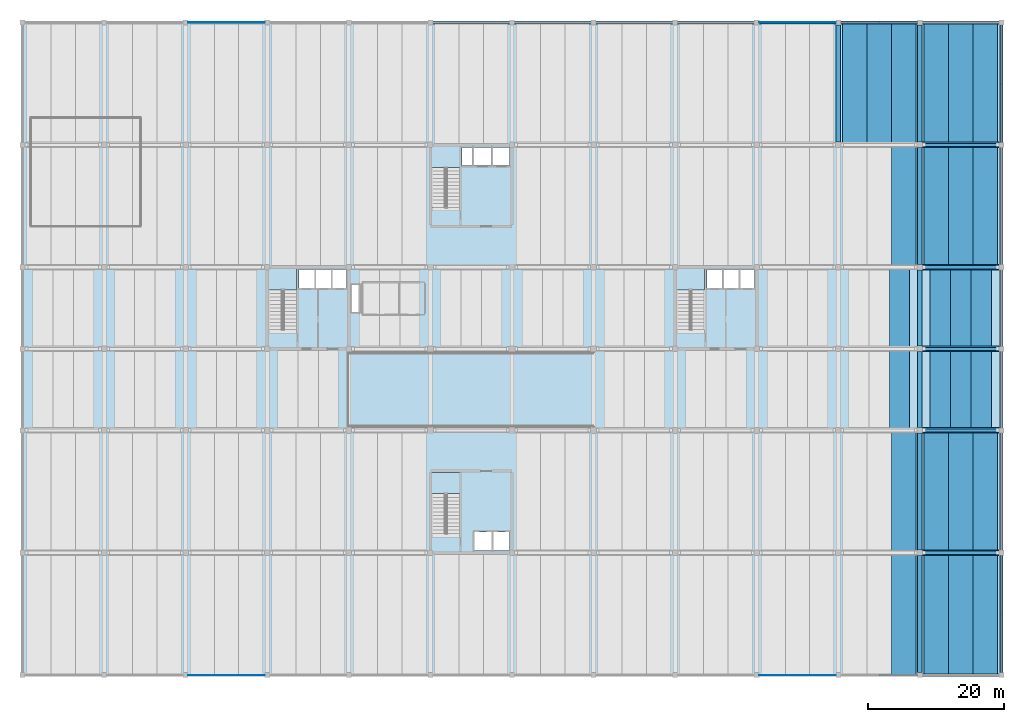
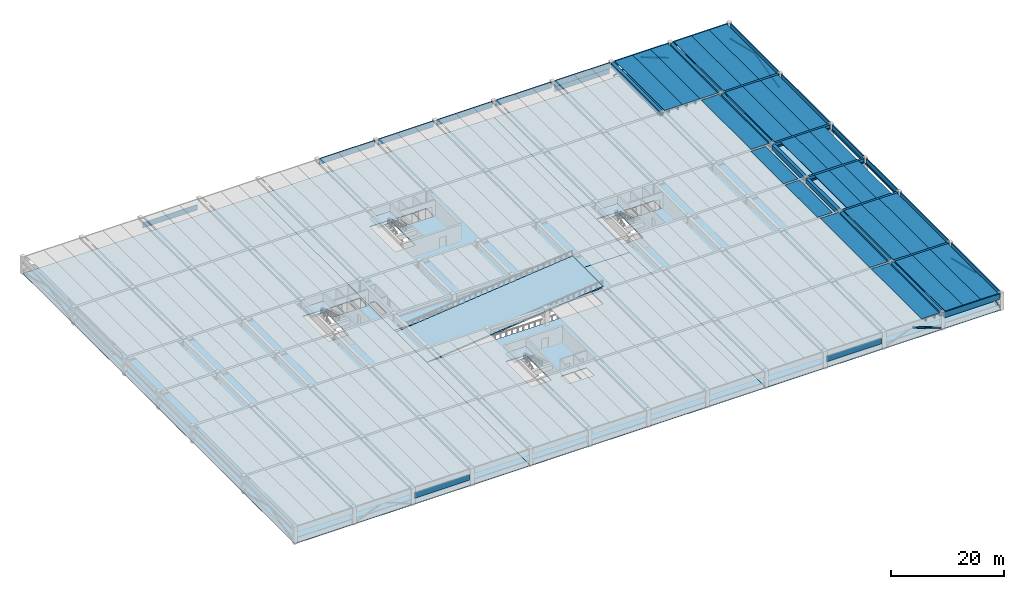
# One storey, part 5 of 14: 52 beams, 9 slabs, 7 members, 4 plates, 4 elements without a shape of their own.
"""IFC4 building model written with IfcOpenShell, lengths in metres."""

from ifc_helpers import new_model, si_unit, direction, frame, origin, origin_2d, place, context, subcontext, project, spatial, polyline, rectangle, hollow_rectangle, outline, extrude, material, layer, layer_set, material_profile, profile_set, type_object, element, aggregate, save


model = new_model("IFC4")

# Units and contexts
model_context = context("Model", 3, precision=1e-05, world=origin(), true_north=direction((0.0, 1.0)))
body_context = subcontext(model_context, "Body", "Model", "MODEL_VIEW")
ifc_project = project(units=[si_unit("LENGTHUNIT", "METRE"), si_unit("AREAUNIT", "SQUARE_METRE"), si_unit("VOLUMEUNIT", "CUBIC_METRE"), si_unit("PLANEANGLEUNIT", "RADIAN"), si_unit("MASSUNIT", "GRAM", prefix="KILO")], contexts=[model_context])

# Site, building, storey
site_placement = place(None, origin())
site = spatial("IfcSite", under=ifc_project, at=site_placement, CompositionType="ELEMENT")
building_placement = place(site_placement, origin())
building = spatial("IfcBuilding", under=site, at=building_placement, Name="Girod Span Mobility Hub", CompositionType="ELEMENT")
storey_placement = place(building_placement, frame((0.0, 0.0, 24.800048828125)))
storey = spatial("IfcBuildingStorey", under=building, at=storey_placement, Name="L06", CompositionType="ELEMENT", Elevation=24.800048828125)

# Beams
ifc_material_1 = material(Name="Concrete C50/60", Category="concrete")
ifc_material_profile_1 = material_profile(ifc_material_1, outline(polyline([(-1.5, 0.300048828125), (-1.5, 0.2099609375), (-0.8349609375, 0.2099609375), (-0.8125, -0.300048828125), (-0.6875, -0.300048828125), (-0.6650390625, 0.2099609375), (0.6650390625, 0.2099609375), (0.6875, -0.300048828125), (0.8125, -0.300048828125), (0.8349609375, 0.2099609375), (1.5, 0.2099609375), (1.5, 0.300048828125), (-1.5, 0.300048828125)])), Name="DT-3000X600")
ifc_profile_set_1 = profile_set([ifc_material_profile_1], Name="Concrete C50/60")
beam_type_1 = type_object("IfcBeamType", Name="BM-DT-3000X600", PredefinedType="JOIST", material=ifc_profile_set_1)
for number, where, z_axis, x_axis, name in (
    (1, (141.0, 45.22705078125, 3.324951171875), (0.0, 1.0, 0.0), (-1.0, 0.0, 0.0), "Double-Tee Deck 12/D-3 L06"),
    (2, (141.0, 57.22705078125, 3.324951171875), (0.0, 1.0, 0.0), (-1.0, 0.0, 0.0), "Double-Tee Deck 12/E-3 L06"),
    (3, (147.0, 45.22705078125, 3.324951171875), (0.0, 1.0, 0.0), (-1.0, 0.0, 0.0), "Double-Tee Deck 13/D-1 L06"),
    (4, (150.0, 45.22705078125, 3.324951171875), (0.0, 1.0, 0.0), (-1.0, 0.0, 0.0), "Double-Tee Deck 13/D-2 L06"),
    (5, (153.0, 45.22705078125, 3.324951171875), (0.0, 1.0, 0.0), (-1.0, 0.0, 0.0), "Double-Tee Deck 13/D-3 L06"),
    (6, (147.0, 57.22705078125, 3.324951171875), (0.0, 1.0, 0.0), (-1.0, 0.0, 0.0), "Double-Tee Deck 13/E-1 L06"),
    (7, (150.0, 57.22705078125, 3.324951171875), (0.0, 1.0, 0.0), (-1.0, 0.0, 0.0), "Double-Tee Deck 13/E-2 L06"),
    (8, (153.0, 57.22705078125, 3.324951171875), (0.0, 1.0, 0.0), (-1.0, 0.0, 0.0), "Double-Tee Deck 13/E-3 L06"),
):
    element("IfcBeam", number, at=place(storey_placement, frame(where, z_axis=z_axis, x_axis=x_axis)), inside=storey, type_object=beam_type_1, Name=name, PredefinedType="JOIST", context=body_context, shape_type="SweptSolid", body=[
        extrude(outline(polyline([(-1.5, 0.300048828125), (-1.5, 0.2099609375), (-0.8349609375, 0.2099609375), (-0.8125, -0.300048828125), (-0.6875, -0.300048828125), (-0.6650390625, 0.2099609375), (0.6650390625, 0.2099609375), (0.6875, -0.300048828125), (0.8125, -0.300048828125), (0.8349609375, 0.2099609375), (1.5, 0.2099609375), (1.5, 0.300048828125), (-1.5, 0.300048828125)])), origin(), (0.0, 0.0, 1.0), 11.5458984375),
    ])
ifc_material_2 = material(Name="Concrete C50/60", Category="concrete")
ifc_material_profile_2 = material_profile(ifc_material_2, outline(polyline([(-1.800048828125, 0.425048828125), (-1.800048828125, 0.324951171875), (-1.0, 0.324951171875), (-0.969970703125, -0.425048828125), (-0.830078125, -0.425048828125), (-0.800048828125, 0.324951171875), (0.800048828125, 0.324951171875), (0.830078125, -0.425048828125), (0.969970703125, -0.425048828125), (1.0, 0.324951171875), (1.800048828125, 0.324951171875), (1.800048828125, 0.425048828125), (-1.800048828125, 0.425048828125)])), Name="DT-3600X850")
ifc_profile_set_2 = profile_set([ifc_material_profile_2], Name="Concrete C50/60")
beam_type_2 = type_object("IfcBeamType", Name="BM-DT-3600X850", PredefinedType="JOIST", material=ifc_profile_set_2)
beam_1_placement = place(storey_placement, frame((141.60009765625, 9.01708984375, 3.199951171875), z_axis=(0.0, 1.0, 0.0), x_axis=(-1.0, 0.0, 0.0)))
element("IfcBeam", 9, at=beam_1_placement, inside=storey, type_object=beam_type_2, Name="Double-Tee Deck 12/B-3 L06", PredefinedType="JOIST", context=body_context, shape_type="SweptSolid", body=[
    extrude(outline(polyline([(-1.800048828125, 0.425048828125), (-1.800048828125, 0.324951171875), (-1.0, 0.324951171875), (-0.969970703125, -0.425048828125), (-0.830078125, -0.425048828125), (-0.800048828125, 0.324951171875), (0.800048828125, 0.324951171875), (0.830078125, -0.425048828125), (0.969970703125, -0.425048828125), (1.0, 0.324951171875), (1.800048828125, 0.324951171875), (1.800048828125, 0.425048828125), (-1.800048828125, 0.425048828125)])), origin(), (0.0, 0.0, 1.0), 17.755859375),
])
for number, where, z_axis, x_axis, name in (
    (10, (141.60009765625, 27.22705078125, 3.199951171875), (0.0, 1.0, 0.0), (-1.0, 0.0, 0.0), "Double-Tee Deck 12/C-3 L06"),
    (11, (141.60009765625, 69.22705078125, 3.199951171875), (0.0, 1.0, 0.0), (-1.0, 0.0, 0.0), "Double-Tee Deck 12/F-3 L06"),
):
    element("IfcBeam", number, at=place(storey_placement, frame(where, z_axis=z_axis, x_axis=x_axis)), inside=storey, type_object=beam_type_2, Name=name, PredefinedType="JOIST", context=body_context, shape_type="SweptSolid", body=[
        extrude(outline(polyline([(-1.800048828125, 0.425048828125), (-1.800048828125, 0.324951171875), (-1.0, 0.324951171875), (-0.969970703125, -0.425048828125), (-0.830078125, -0.425048828125), (-0.800048828125, 0.324951171875), (0.800048828125, 0.324951171875), (0.830078125, -0.425048828125), (0.969970703125, -0.425048828125), (1.0, 0.324951171875), (1.800048828125, 0.324951171875), (1.800048828125, 0.425048828125), (-1.800048828125, 0.425048828125)])), origin(), (0.0, 0.0, 1.0), 17.5458984375),
    ])
for number, where, z_axis, x_axis, name in (
    (12, (134.39990234375, 87.22705078125, 3.199951171875), (0.0, 1.0, 0.0), (-1.0, 0.0, 0.0), "Double-Tee Deck 12/G-1 L06"),
    (13, (138.0, 87.22705078125, 3.199951171875), (0.0, 1.0, 0.0), (-1.0, 0.0, 0.0), "Double-Tee Deck 12/G-2 L06"),
    (14, (141.60009765625, 87.22705078125, 3.199951171875), (0.0, 1.0, 0.0), (-1.0, 0.0, 0.0), "Double-Tee Deck 12/G-3 L06"),
):
    element("IfcBeam", number, at=place(storey_placement, frame(where, z_axis=z_axis, x_axis=x_axis)), inside=storey, type_object=beam_type_2, Name=name, PredefinedType="JOIST", context=body_context, shape_type="SweptSolid", body=[
        extrude(outline(polyline([(-1.800048828125, 0.425048828125), (-1.800048828125, 0.324951171875), (-1.0, 0.324951171875), (-0.969970703125, -0.425048828125), (-0.830078125, -0.425048828125), (-0.800048828125, 0.324951171875), (0.800048828125, 0.324951171875), (0.830078125, -0.425048828125), (0.969970703125, -0.425048828125), (1.0, 0.324951171875), (1.800048828125, 0.324951171875), (1.800048828125, 0.425048828125), (-1.800048828125, 0.425048828125)])), origin(), (0.0, 0.0, 1.0), 17.575927734375),
    ])
for number, where, z_axis, x_axis, name in (
    (15, (146.39990234375, 9.01708984375, 3.199951171875), (0.0, 1.0, 0.0), (-1.0, 0.0, 0.0), "Double-Tee Deck 13/B-1 L06"),
    (16, (150.0, 9.01708984375, 3.199951171875), (0.0, 1.0, 0.0), (-1.0, 0.0, 0.0), "Double-Tee Deck 13/B-2 L06"),
    (17, (153.60009765625, 9.01708984375, 3.199951171875), (0.0, 1.0, 0.0), (-1.0, 0.0, 0.0), "Double-Tee Deck 13/B-3 L06"),
):
    element("IfcBeam", number, at=place(storey_placement, frame(where, z_axis=z_axis, x_axis=x_axis)), inside=storey, type_object=beam_type_2, Name=name, PredefinedType="JOIST", context=body_context, shape_type="SweptSolid", body=[
        extrude(outline(polyline([(-1.800048828125, 0.425048828125), (-1.800048828125, 0.324951171875), (-1.0, 0.324951171875), (-0.969970703125, -0.425048828125), (-0.830078125, -0.425048828125), (-0.800048828125, 0.324951171875), (0.800048828125, 0.324951171875), (0.830078125, -0.425048828125), (0.969970703125, -0.425048828125), (1.0, 0.324951171875), (1.800048828125, 0.324951171875), (1.800048828125, 0.425048828125), (-1.800048828125, 0.425048828125)])), origin(), (0.0, 0.0, 1.0), 17.755859375),
    ])
for number, where, z_axis, x_axis, name in (
    (18, (146.39990234375, 27.22705078125, 3.199951171875), (0.0, 1.0, 0.0), (-1.0, 0.0, 0.0), "Double-Tee Deck 13/C-1 L06"),
    (19, (150.0, 27.22705078125, 3.199951171875), (0.0, 1.0, 0.0), (-1.0, 0.0, 0.0), "Double-Tee Deck 13/C-2 L06"),
    (20, (153.60009765625, 27.22705078125, 3.199951171875), (0.0, 1.0, 0.0), (-1.0, 0.0, 0.0), "Double-Tee Deck 13/C-3 L06"),
    (21, (146.39990234375, 69.22705078125, 3.199951171875), (0.0, 1.0, 0.0), (-1.0, 0.0, 0.0), "Double-Tee Deck 13/F-1 L06"),
    (22, (150.0, 69.22705078125, 3.199951171875), (0.0, 1.0, 0.0), (-1.0, 0.0, 0.0), "Double-Tee Deck 13/F-2 L06"),
    (23, (153.60009765625, 69.22705078125, 3.199951171875), (0.0, 1.0, 0.0), (-1.0, 0.0, 0.0), "Double-Tee Deck 13/F-3 L06"),
):
    element("IfcBeam", number, at=place(storey_placement, frame(where, z_axis=z_axis, x_axis=x_axis)), inside=storey, type_object=beam_type_2, Name=name, PredefinedType="JOIST", context=body_context, shape_type="SweptSolid", body=[
        extrude(outline(polyline([(-1.800048828125, 0.425048828125), (-1.800048828125, 0.324951171875), (-1.0, 0.324951171875), (-0.969970703125, -0.425048828125), (-0.830078125, -0.425048828125), (-0.800048828125, 0.324951171875), (0.800048828125, 0.324951171875), (0.830078125, -0.425048828125), (0.969970703125, -0.425048828125), (1.0, 0.324951171875), (1.800048828125, 0.324951171875), (1.800048828125, 0.425048828125), (-1.800048828125, 0.425048828125)])), origin(), (0.0, 0.0, 1.0), 17.5458984375),
    ])
for number, where, z_axis, x_axis, name in (
    (24, (146.39990234375, 87.22705078125, 3.199951171875), (0.0, 1.0, 0.0), (-1.0, 0.0, 0.0), "Double-Tee Deck 13/G-1 L06"),
    (25, (150.0, 87.22705078125, 3.199951171875), (0.0, 1.0, 0.0), (-1.0, 0.0, 0.0), "Double-Tee Deck 13/G-2 L06"),
    (26, (153.60009765625, 87.22705078125, 3.199951171875), (0.0, 1.0, 0.0), (-1.0, 0.0, 0.0), "Double-Tee Deck 13/G-3 L06"),
):
    element("IfcBeam", number, at=place(storey_placement, frame(where, z_axis=z_axis, x_axis=x_axis)), inside=storey, type_object=beam_type_2, Name=name, PredefinedType="JOIST", context=body_context, shape_type="SweptSolid", body=[
        extrude(outline(polyline([(-1.800048828125, 0.425048828125), (-1.800048828125, 0.324951171875), (-1.0, 0.324951171875), (-0.969970703125, -0.425048828125), (-0.830078125, -0.425048828125), (-0.800048828125, 0.324951171875), (0.800048828125, 0.324951171875), (0.830078125, -0.425048828125), (0.969970703125, -0.425048828125), (1.0, 0.324951171875), (1.800048828125, 0.324951171875), (1.800048828125, 0.425048828125), (-1.800048828125, 0.425048828125)])), origin(), (0.0, 0.0, 1.0), 17.575927734375),
    ])
ifc_material_3 = material(Name="Concrete C50/60", Category="concrete")
ifc_material_profile_3 = material_profile(ifc_material_3, outline(polyline([(-0.39990234375, -0.449951171875), (0.39990234375, -0.449951171875), (0.39990234375, -0.14990234375), (0.22998046875, -0.14990234375), (0.22998046875, 0.449951171875), (-0.22998046875, 0.449951171875), (-0.22998046875, -0.14990234375), (-0.39990234375, -0.14990234375), (-0.39990234375, -0.449951171875)])), Name="IT-800X900")
ifc_profile_set_3 = profile_set([ifc_material_profile_3], Name="Concrete C50/60")
beam_type_3 = type_object("IfcBeamType", Name="BM-IT-800X900", PredefinedType="T_BEAM", material=ifc_profile_set_3)
for number, where, z_axis, x_axis, name in (
    (27, (144.39697265625, 27.0, 3.175048828125), (1.0, 0.0, 0.0), (0.0, 1.0, 0.0), "Girder 13-14/C L06"),
    (28, (144.39697265625, 45.0, 3.175048828125), (1.0, 0.0, 0.0), (0.0, 1.0, 0.0), "Girder 13-14/D L06"),
    (29, (144.39697265625, 57.0, 3.175048828125), (1.0, 0.0, 0.0), (0.0, 1.0, 0.0), "Girder 13-14/E L06"),
    (30, (144.39697265625, 69.0, 3.175048828125), (1.0, 0.0, 0.0), (0.0, 1.0, 0.0), "Girder 13-14/F L06"),
    (31, (144.39697265625, 87.0, 3.175048828125), (1.0, 0.0, 0.0), (0.0, 1.0, 0.0), "Girder 13-14/G L06"),
):
    element("IfcBeam", number, at=place(storey_placement, frame(where, z_axis=z_axis, x_axis=x_axis)), inside=storey, type_object=beam_type_3, Name=name, PredefinedType="T_BEAM", context=body_context, shape_type="SweptSolid", body=[
        extrude(outline(polyline([(-0.39990234375, -0.449951171875), (0.39990234375, -0.449951171875), (0.39990234375, -0.14990234375), (0.22998046875, -0.14990234375), (0.22998046875, 0.449951171875), (-0.22998046875, 0.449951171875), (-0.22998046875, -0.14990234375), (-0.39990234375, -0.14990234375), (-0.39990234375, -0.449951171875)])), origin(), (0.0, 0.0, 1.0), 11.23095703125),
    ])
ifc_material_4 = material(Name="Concrete C40/50", Category="concrete")
ifc_material_profile_4 = material_profile(ifc_material_4, outline(polyline([(-0.199951171875, -0.625), (0.199951171875, -0.625), (0.199951171875, -0.304931640625), (0.02001953125, -0.304931640625), (0.02001953125, 0.625), (-0.199951171875, 0.625), (-0.199951171875, -0.625)])), Name="SP-400X1250")
ifc_profile_set_4 = profile_set([ifc_material_profile_4], Name="Concrete C40/50")
beam_type_4 = type_object("IfcBeamType", Name="BM-SP-400X1250", PredefinedType="SPANDREL", material=ifc_profile_set_4)
for number, where, z_axis, x_axis, name in (
    (32, (144.3720703125, 9.0, 3.0), (1.0, 0.0, 0.0), (0.0, 1.0, 0.0), "Girder 13-14/B L06"),
    (33, (72.3720703125, 105.0, 3.0), (1.0, 0.0, 0.0), (0.0, 1.0, 0.0), "Girder 7-8/H L06"),
    (34, (84.3720703125, 105.0, 3.0), (1.0, 0.0, 0.0), (0.0, 1.0, 0.0), "Girder 8-9/H L06"),
    (35, (96.3720703125, 105.0, 3.0), (1.0, 0.0, 0.0), (0.0, 1.0, 0.0), "Girder 9-10/H L06"),
    (36, (108.3720703125, 105.0, 3.0), (1.0, 0.0, 0.0), (0.0, 1.0, 0.0), "Girder 10-11/H L06"),
    (37, (120.3720703125, 105.0, 3.0), (1.0, 0.0, 0.0), (0.0, 1.0, 0.0), "Girder 11-12/H L06"),
    (38, (132.3720703125, 105.0, 3.0), (1.0, 0.0, 0.0), (0.0, 1.0, 0.0), "Girder 12-13/H L06"),
    (39, (144.3720703125, 105.0, 3.0), (1.0, 0.0, 0.0), (0.0, 1.0, 0.0), "Girder 13-14/H L06"),
):
    element("IfcBeam", number, at=place(storey_placement, frame(where, z_axis=z_axis, x_axis=x_axis)), inside=storey, type_object=beam_type_4, Name=name, PredefinedType="SPANDREL", context=body_context, shape_type="SweptSolid", body=[
        extrude(outline(polyline([(-0.199951171875, -0.625), (0.199951171875, -0.625), (0.199951171875, -0.304931640625), (0.02001953125, -0.304931640625), (0.02001953125, 0.625), (-0.199951171875, 0.625), (-0.199951171875, -0.625)])), origin(), (0.0, 0.0, 1.0), 11.255859375),
    ])
for number, where, z_axis, x_axis, name in (
    (40, (156.0, 9.3720703125, 3.0), (0.0, 1.0, 0.0), (-1.0, 0.0, 0.0), "Tie Girder 14/B-C L06"),
    (41, (156.0, 27.3720703125, 3.0), (0.0, 1.0, 0.0), (-1.0, 0.0, 0.0), "Tie Girder 14/C-D L06"),
):
    element("IfcBeam", number, at=place(storey_placement, frame(where, z_axis=z_axis, x_axis=x_axis)), inside=storey, type_object=beam_type_4, Name=name, PredefinedType="SPANDREL", context=body_context, shape_type="SweptSolid", body=[
        extrude(outline(polyline([(-0.199951171875, -0.625), (0.199951171875, -0.625), (0.199951171875, -0.304931640625), (0.02001953125, -0.304931640625), (0.02001953125, 0.625), (-0.199951171875, 0.625), (-0.199951171875, -0.625)])), origin(), (0.0, 0.0, 1.0), 17.255859375),
    ])
for number, where, z_axis, x_axis, name in (
    (42, (156.0, 45.3720703125, 3.0), (0.0, 1.0, 0.0), (-1.0, 0.0, 0.0), "Tie Girder 14/D-E L06"),
    (43, (156.0, 57.3720703125, 3.0), (0.0, 1.0, 0.0), (-1.0, 0.0, 0.0), "Tie Girder 14/E-F L06"),
):
    element("IfcBeam", number, at=place(storey_placement, frame(where, z_axis=z_axis, x_axis=x_axis)), inside=storey, type_object=beam_type_4, Name=name, PredefinedType="SPANDREL", context=body_context, shape_type="SweptSolid", body=[
        extrude(outline(polyline([(-0.199951171875, -0.625), (0.199951171875, -0.625), (0.199951171875, -0.304931640625), (0.02001953125, -0.304931640625), (0.02001953125, 0.625), (-0.199951171875, 0.625), (-0.199951171875, -0.625)])), origin(), (0.0, 0.0, 1.0), 11.255859375),
    ])
for number, where, z_axis, x_axis, name in (
    (44, (156.0, 69.3720703125, 3.0), (0.0, 1.0, 0.0), (-1.0, 0.0, 0.0), "Tie Girder 14/F-G L06"),
    (45, (156.0, 87.3720703125, 3.0), (0.0, 1.0, 0.0), (-1.0, 0.0, 0.0), "Tie Girder 14/G-H L06"),
):
    element("IfcBeam", number, at=place(storey_placement, frame(where, z_axis=z_axis, x_axis=x_axis)), inside=storey, type_object=beam_type_4, Name=name, PredefinedType="SPANDREL", context=body_context, shape_type="SweptSolid", body=[
        extrude(outline(polyline([(-0.199951171875, -0.625), (0.199951171875, -0.625), (0.199951171875, -0.304931640625), (0.02001953125, -0.304931640625), (0.02001953125, 0.625), (-0.199951171875, 0.625), (-0.199951171875, -0.625)])), origin(), (0.0, 0.0, 1.0), 17.255859375),
    ])
ifc_material_5 = material(Name="Concrete C40/50", Category="concrete")
ifc_material_profile_5 = material_profile(ifc_material_5, rectangle(XDim=0.64990234375, YDim=1.0, at=origin_2d()), Name="TG-650X1000")
ifc_profile_set_5 = profile_set([ifc_material_profile_5], Name="Concrete C40/50")
beam_type_5 = type_object("IfcBeamType", Name="BM-TG-650X1000", PredefinedType="T_BEAM", material=ifc_profile_set_5)
for number, where, z_axis, x_axis, name in (
    (46, (132.0, 87.39697265625, 3.125), (0.0, 1.0, 0.0), (-1.0, 0.0, 0.0), "Tie Girder 12/G-H L06"),
    (47, (144.0, 9.3720703125, 3.125), (0.0, 1.0, 0.0), (-1.0, 0.0, 0.0), "Tie Girder 13/B-C L06"),
):
    element("IfcBeam", number, at=place(storey_placement, frame(where, z_axis=z_axis, x_axis=x_axis)), inside=storey, type_object=beam_type_5, Name=name, PredefinedType="T_BEAM", context=body_context, shape_type="SweptSolid", body=[
        extrude(rectangle(XDim=0.64990234375, YDim=1.0, at=origin_2d()), origin(), (0.0, 0.0, 1.0), 17.23095703125),
    ])
beam_2_placement = place(storey_placement, frame((144.0, 27.39697265625, 3.125), z_axis=(0.0, 1.0, 0.0), x_axis=(-1.0, 0.0, 0.0)))
element("IfcBeam", 48, at=beam_2_placement, inside=storey, type_object=beam_type_5, Name="Tie Girder 13/C-D L06", PredefinedType="T_BEAM", context=body_context, shape_type="SweptSolid", body=[
    extrude(rectangle(XDim=0.64990234375, YDim=1.0, at=origin_2d()), origin(), (0.0, 0.0, 1.0), 17.2060546875),
])
for number, where, z_axis, x_axis, name in (
    (49, (144.0, 45.39697265625, 3.125), (0.0, 1.0, 0.0), (-1.0, 0.0, 0.0), "Tie Girder 13/D-E L06"),
    (50, (144.0, 57.39697265625, 3.125), (0.0, 1.0, 0.0), (-1.0, 0.0, 0.0), "Tie Girder 13/E-F L06"),
):
    element("IfcBeam", number, at=place(storey_placement, frame(where, z_axis=z_axis, x_axis=x_axis)), inside=storey, type_object=beam_type_5, Name=name, PredefinedType="T_BEAM", context=body_context, shape_type="SweptSolid", body=[
        extrude(rectangle(XDim=0.64990234375, YDim=1.0, at=origin_2d()), origin(), (0.0, 0.0, 1.0), 11.2060546875),
    ])
beam_3_placement = place(storey_placement, frame((144.0, 69.39697265625, 3.125), z_axis=(0.0, 1.0, 0.0), x_axis=(-1.0, 0.0, 0.0)))
element("IfcBeam", 51, at=beam_3_placement, inside=storey, type_object=beam_type_5, Name="Tie Girder 13/F-G L06", PredefinedType="T_BEAM", context=body_context, shape_type="SweptSolid", body=[
    extrude(rectangle(XDim=0.64990234375, YDim=1.0, at=origin_2d()), origin(), (0.0, 0.0, 1.0), 17.2060546875),
])
beam_4_placement = place(storey_placement, frame((144.0, 87.39697265625, 3.125), z_axis=(0.0, 1.0, 0.0), x_axis=(-1.0, 0.0, 0.0)))
element("IfcBeam", 52, at=beam_4_placement, inside=storey, type_object=beam_type_5, Name="Tie Girder 13/G-H L06", PredefinedType="T_BEAM", context=body_context, shape_type="SweptSolid", body=[
    extrude(rectangle(XDim=0.64990234375, YDim=1.0, at=origin_2d()), origin(), (0.0, 0.0, 1.0), 17.23095703125),
])

# Members
ifc_material_6 = material(Name="Steel HSS A500 Grade C", Category="steel")
ifc_material_profile_6 = material_profile(ifc_material_6, hollow_rectangle(XDim=0.25390625, YDim=0.25390625, WallThickness=0.01171875, InnerFilletRadius=0.01171875, OuterFilletRadius=0.023681640625, at=origin_2d()), Name="HSS254X254X12.7")
ifc_profile_set_6 = profile_set([ifc_material_profile_6], Name="Steel HSS A500 Grade C")
member_type = type_object("IfcMemberType", Name="MB-BR-HSS254", PredefinedType="BRACE", material=ifc_profile_set_6)
for number, where, z_axis, x_axis, name in (
    (53, (143.64501953125, 9.0, 0.349853515625), (-0.93697705692, 0.0, 0.349390891132), (0.0, -1.0, 0.0), "Perimeter Chevron Brace 12/B-R L06"),
    (54, (132.35498046875, 105.0, 0.349853515625), (0.93697705692, 0.0, 0.349390891132), (0.0, 1.0, 0.0), "Perimeter Chevron Brace 12/H-L L06"),
    (55, (143.64501953125, 105.0, 0.349853515625), (-0.93697705692, 0.0, 0.349390891132), (0.0, -1.0, 0.0), "Perimeter Chevron Brace 12/H-R L06"),
):
    element("IfcMember", number, at=place(storey_placement, frame(where, z_axis=z_axis, x_axis=x_axis)), inside=storey, type_object=member_type, Name=name, PredefinedType="BRACE", context=body_context, shape_type="SweptSolid", body=[
        extrude(hollow_rectangle(XDim=0.25390625, YDim=0.25390625, WallThickness=0.01171875, InnerFilletRadius=0.01171875, OuterFilletRadius=0.023681640625, at=origin_2d()), origin(), (0.0, 0.0, 1.0), 6.024658203125),
    ])
for number, where, z_axis, x_axis, name in (
    (56, (156.0, 9.35498046875, 0.349853515625), (0.0, 0.971612396053, 0.236578426398), (-1.0, 0.0, 0.0), "Side Chevron Brace 14/B-S L06"),
    (57, (156.0, 26.64501953125, 0.349853515625), (0.0, -0.971612396053, 0.236578426398), (1.0, 0.0, 0.0), "Side Chevron Brace 14/B-N L06"),
    (58, (156.0, 87.35498046875, 0.349853515625), (0.0, 0.971612396053, 0.236578426398), (-1.0, 0.0, 0.0), "Side Chevron Brace 14/G-S L06"),
    (59, (156.0, 104.64501953125, 0.349853515625), (0.0, -0.971612396053, 0.236578426398), (1.0, 0.0, 0.0), "Side Chevron Brace 14/G-N L06"),
):
    element("IfcMember", number, at=place(storey_placement, frame(where, z_axis=z_axis, x_axis=x_axis)), inside=storey, type_object=member_type, Name=name, PredefinedType="BRACE", context=body_context, shape_type="SweptSolid", body=[
        extrude(hollow_rectangle(XDim=0.25390625, YDim=0.25390625, WallThickness=0.01171875, InnerFilletRadius=0.01171875, OuterFilletRadius=0.023681640625, at=origin_2d()), origin(), (0.0, 0.0, 1.0), 8.897705078125),
    ])

# Plates
ifc_material_7 = material(Name="Perforated Powder-Coated Aluminium Sheet", Category="aluminium")
ifc_layer_1 = layer(ifc_material_7, 0.02001953125)
ifc_layer_set_1 = layer_set([ifc_layer_1], Name="Perforated Powder-Coated Aluminium Sheet")
plate_type = type_object("IfcPlateType", Name="PLT-CLD-11254X1225X20", PredefinedType="USERDEFINED", material=ifc_layer_set_1)
for number, where, z_axis, x_axis, name in (
    (60, (42.0, 9.0, 1.14990234375), (0.0, 0.0, 1.0), (1.0, 0.0, 0.0), "Perforated Aluminium Cladding Panel S-4 L06"),
    (61, (126.0, 9.0, 1.14990234375), (0.0, 0.0, 1.0), (1.0, 0.0, 0.0), "Perforated Aluminium Cladding Panel S-11 L06"),
    (62, (42.0, 105.0, 1.14990234375), (0.0, 0.0, 1.0), (1.0, 0.0, 0.0), "Perforated Aluminium Cladding Panel N-4 L06"),
    (63, (126.0, 105.0, 1.14990234375), (0.0, 0.0, 1.0), (1.0, 0.0, 0.0), "Perforated Aluminium Cladding Panel N-11 L06"),
):
    element("IfcPlate", number, at=place(storey_placement, frame(where, z_axis=z_axis, x_axis=x_axis)), inside=storey, type_object=plate_type, Name=name, ObjectType="CLADDING", PredefinedType="USERDEFINED", context=body_context, shape_type="SweptSolid", body=[
        extrude(rectangle(XDim=11.25390625, YDim=0.02001953125, at=origin_2d()), origin(), (0.0, 0.0, 1.0), 1.22509765625),
    ])

# Slabs
ifc_material_8 = material(Name="Concrete C40/50", Category="concrete")
ifc_layer_2 = layer(ifc_material_8, 0.1650390625)
ifc_layer_set_2 = layer_set([ifc_layer_2], Name="Concrete C40/50")
slab_type_1 = type_object("IfcSlabType", Name="SL-FLR-165", PredefinedType="FLOOR", material=ifc_layer_set_2)
slab_1_placement = place(storey_placement, frame((0.0, 0.0, -0.1650390625)))
element("IfcSlab", 64, at=slab_1_placement, inside=storey, type_object=slab_type_1, Name="Floor Slab L06 Sector W", PredefinedType="FLOOR", context=body_context, shape_type="SweptSolid", body=[
    extrude(outline(polyline([(12.0, 105.0), (60.0, 105.0), (60.0, 56.39990234375), (60.0, 45.60009765625), (60.0, 9.0), (12.0, 9.0), (12.0, 105.0)]), holes=[polyline([(48.219970703125, 68.820068359375), (48.219970703125, 59.8349609375), (52.340087890625, 59.8349609375), (52.340087890625, 68.820068359375), (48.219970703125, 68.820068359375)]), polyline([(52.64990234375, 68.64990234375), (52.64990234375, 65.949951171875), (54.949951171875, 65.949951171875), (54.949951171875, 68.64990234375), (52.64990234375, 68.64990234375)]), polyline([(55.199951171875, 68.64990234375), (55.199951171875, 65.949951171875), (57.35009765625, 65.949951171875), (57.35009765625, 68.64990234375), (55.199951171875, 68.64990234375)]), polyline([(57.60009765625, 68.64990234375), (57.60009765625, 65.949951171875), (59.64990234375, 65.949951171875), (59.64990234375, 68.64990234375), (57.60009765625, 68.64990234375)])]), origin(), (0.0, 0.0, 1.0), 0.1650390625),
])
slab_2_placement = place(storey_placement, frame((0.0, 0.0, -0.1650390625)))
element("IfcSlab", 65, at=slab_2_placement, inside=storey, type_object=slab_type_1, Name="Floor Slab L06 Sector CS", PredefinedType="FLOOR", context=body_context, shape_type="SweptSolid", body=[
    extrude(outline(polyline([(60.0, 9.0), (60.0, 45.60009765625), (96.0, 45.60009765625), (96.0, 56.39990234375), (60.0, 56.39990234375), (60.0, 57.0), (108.0, 57.0), (108.0, 9.0), (60.0, 9.0)]), holes=[polyline([(72.219970703125, 38.820068359375), (72.219970703125, 29.8349609375), (76.340087890625, 29.8349609375), (76.340087890625, 38.820068359375), (72.219970703125, 38.820068359375)]), polyline([(78.449951171875, 30.050048828125), (78.449951171875, 27.35009765625), (81.0, 27.35009765625), (81.0, 30.050048828125), (78.449951171875, 30.050048828125)]), polyline([(81.25, 30.050048828125), (81.25, 27.35009765625), (83.64990234375, 27.35009765625), (83.64990234375, 30.050048828125), (81.25, 30.050048828125)])]), origin(), (0.0, 0.0, 1.0), 0.1650390625),
])
slab_3_placement = place(storey_placement, frame((0.0, 0.0, -0.1650390625)))
element("IfcSlab", 66, at=slab_3_placement, inside=storey, type_object=slab_type_1, Name="Floor Slab L06 Sector CN", PredefinedType="FLOOR", context=body_context, shape_type="SweptSolid", body=[
    extrude(outline(polyline([(108.0, 105.0), (108.0, 57.0), (60.0, 57.0), (60.0, 105.0), (108.0, 105.0)]), holes=[polyline([(60.449951171875, 66.449951171875), (60.449951171875, 62.35009765625), (61.47998046875, 62.35009765625), (61.47998046875, 66.449951171875), (60.449951171875, 66.449951171875)]), polyline([(72.219970703125, 86.820068359375), (72.219970703125, 77.8349609375), (76.340087890625, 77.8349609375), (76.340087890625, 86.820068359375), (72.219970703125, 86.820068359375)]), polyline([(76.64990234375, 86.64990234375), (76.64990234375, 83.949951171875), (78.14990234375, 83.949951171875), (78.14990234375, 86.64990234375), (76.64990234375, 86.64990234375)]), polyline([(80.949951171875, 86.64990234375), (78.39990234375, 86.64990234375), (78.39990234375, 83.949951171875), (80.949951171875, 83.949951171875), (80.949951171875, 86.64990234375)]), polyline([(83.64990234375, 86.64990234375), (81.199951171875, 86.64990234375), (81.199951171875, 83.949951171875), (83.64990234375, 83.949951171875), (83.64990234375, 86.64990234375)])]), origin(), (0.0, 0.0, 1.0), 0.1650390625),
])
slab_4_placement = place(storey_placement, frame((0.0, 0.0, -0.1650390625)))
element("IfcSlab", 67, at=slab_4_placement, inside=storey, type_object=slab_type_1, Name="Floor Slab L06 Sector E", PredefinedType="FLOOR", context=body_context, shape_type="SweptSolid", body=[
    extrude(outline(polyline([(156.0, 105.0), (156.0, 9.0), (108.0, 9.0), (108.0, 105.0), (156.0, 105.0)]), holes=[polyline([(108.219970703125, 68.820068359375), (108.219970703125, 59.8349609375), (112.340087890625, 59.8349609375), (112.340087890625, 68.820068359375), (108.219970703125, 68.820068359375)]), polyline([(112.64990234375, 68.64990234375), (112.64990234375, 65.949951171875), (114.949951171875, 65.949951171875), (114.949951171875, 68.64990234375), (112.64990234375, 68.64990234375)]), polyline([(115.199951171875, 68.64990234375), (115.199951171875, 65.949951171875), (117.35009765625, 65.949951171875), (117.35009765625, 68.64990234375), (115.199951171875, 68.64990234375)]), polyline([(117.60009765625, 68.64990234375), (117.60009765625, 65.949951171875), (119.64990234375, 65.949951171875), (119.64990234375, 68.64990234375), (117.60009765625, 68.64990234375)])]), origin(), (0.0, 0.0, 1.0), 0.1650390625),
])

# Stair, slab
ifc_material_9 = material(Name="Concrete C40/50", Category="concrete")
stair_type = type_object("IfcStairType", Name="STR-3800-W1860", PredefinedType="HALF_TURN_STAIR", material=ifc_material_9)
stair_1_placement = place(storey_placement, origin())
stair_1 = element("IfcStair", 68, at=stair_1_placement, inside=storey, type_object=stair_type, Name="Exit Stair ST-1 L06", PredefinedType="HALF_TURN_STAIR")
ifc_material_10 = material(Name="Concrete C40/50", Category="concrete")
ifc_layer_3 = layer(ifc_material_10, 0.3798828125)
ifc_layer_set_3 = layer_set([ifc_layer_3], Name="Concrete C40/50")
slab_type_2 = type_object("IfcSlabType", Name="SL-LND-380", PredefinedType="LANDING", material=ifc_layer_set_3)
slab_5_placement = place(storey_placement, frame((0.0, 0.0, 1.52001953125)))
slab_5 = element("IfcSlab", 69, at=slab_5_placement, type_object=slab_type_2, Name="Stair ST-1 Half-Landing L06", PredefinedType="LANDING", context=body_context, shape_type="SweptSolid", body=[
    extrude(outline(polyline([(52.3349609375, 65.68603515625), (52.3349609375, 68.784912109375), (48.215087890625, 68.784912109375), (48.215087890625, 65.68603515625), (52.3349609375, 65.68603515625)])), origin(), (0.0, 0.0, 1.0), 0.3798828125),
])
aggregate(stair_1, [slab_5])

stair_2_placement = place(storey_placement, origin())
stair_2 = element("IfcStair", 70, at=stair_2_placement, inside=storey, type_object=stair_type, Name="Exit Stair ST-2 L06", PredefinedType="HALF_TURN_STAIR")
slab_6_placement = place(storey_placement, frame((0.0, 0.0, 1.52001953125)))
slab_6 = element("IfcSlab", 71, at=slab_6_placement, type_object=slab_type_2, Name="Stair ST-2 Half-Landing L06", PredefinedType="LANDING", context=body_context, shape_type="SweptSolid", body=[
    extrude(outline(polyline([(112.3349609375, 65.68603515625), (112.3349609375, 68.784912109375), (108.215087890625, 68.784912109375), (108.215087890625, 65.68603515625), (112.3349609375, 65.68603515625)])), origin(), (0.0, 0.0, 1.0), 0.3798828125),
])
aggregate(stair_2, [slab_6])

stair_3_placement = place(storey_placement, origin())
stair_3 = element("IfcStair", 72, at=stair_3_placement, inside=storey, type_object=stair_type, Name="Exit Stair ST-3 L06", PredefinedType="HALF_TURN_STAIR")
slab_7_placement = place(storey_placement, frame((0.0, 0.0, 1.52001953125)))
slab_7 = element("IfcSlab", 73, at=slab_7_placement, type_object=slab_type_2, Name="Stair ST-3 Half-Landing L06", PredefinedType="LANDING", context=body_context, shape_type="SweptSolid", body=[
    extrude(outline(polyline([(76.3349609375, 35.68603515625), (76.3349609375, 38.81005859375), (72.18994140625, 38.81005859375), (72.18994140625, 35.68603515625), (76.3349609375, 35.68603515625)])), origin(), (0.0, 0.0, 1.0), 0.3798828125),
])
aggregate(stair_3, [slab_7])

stair_4_placement = place(storey_placement, origin())
stair_4 = element("IfcStair", 74, at=stair_4_placement, inside=storey, type_object=stair_type, Name="Exit Stair ST-4 L06", PredefinedType="HALF_TURN_STAIR")
slab_8_placement = place(storey_placement, frame((0.0, 0.0, 1.52001953125)))
slab_8 = element("IfcSlab", 75, at=slab_8_placement, type_object=slab_type_2, Name="Stair ST-4 Half-Landing L06", PredefinedType="LANDING", context=body_context, shape_type="SweptSolid", body=[
    extrude(outline(polyline([(76.3349609375, 83.68603515625), (76.3349609375, 86.81005859375), (72.18994140625, 86.81005859375), (72.18994140625, 83.68603515625), (76.3349609375, 83.68603515625)])), origin(), (0.0, 0.0, 1.0), 0.3798828125),
])
aggregate(stair_4, [slab_8])

# Slab
ifc_material_11 = material(Name="Concrete C40/50", Category="concrete")
ifc_layer_4 = layer(ifc_material_11, 0.280029296875)
ifc_layer_set_4 = layer_set([ifc_layer_4], Name="Concrete C40/50")
slab_type_3 = type_object("IfcSlabType", Name="SL-RAMP-280", PredefinedType="USERDEFINED", material=ifc_layer_set_4)
slab_9_placement = place(storey_placement, frame((60.050048828125, 45.60009765625, 0.0), z_axis=(-0.105205145599, 0.0, 0.994450540419), x_axis=(0.994450540419, 0.0, 0.105205145599)))
element("IfcSlab", 76, at=slab_9_placement, inside=storey, type_object=slab_type_3, Name="Two-Way Express Vehicular Ramp L06 to L07", ObjectType="VEHICULAR RAMP", PredefinedType="USERDEFINED", context=body_context, shape_type="SweptSolid", body=[
    extrude(outline(polyline([(0.0, 0.0), (36.12037041064554, 0.0), (36.12037041064554, 10.7998046875), (0.0, 10.7998046875), (0.0, 0.0)])), origin(), (0.0, 0.0, -1.0), 0.280029296875),
])

save(model, "model.ifc")
